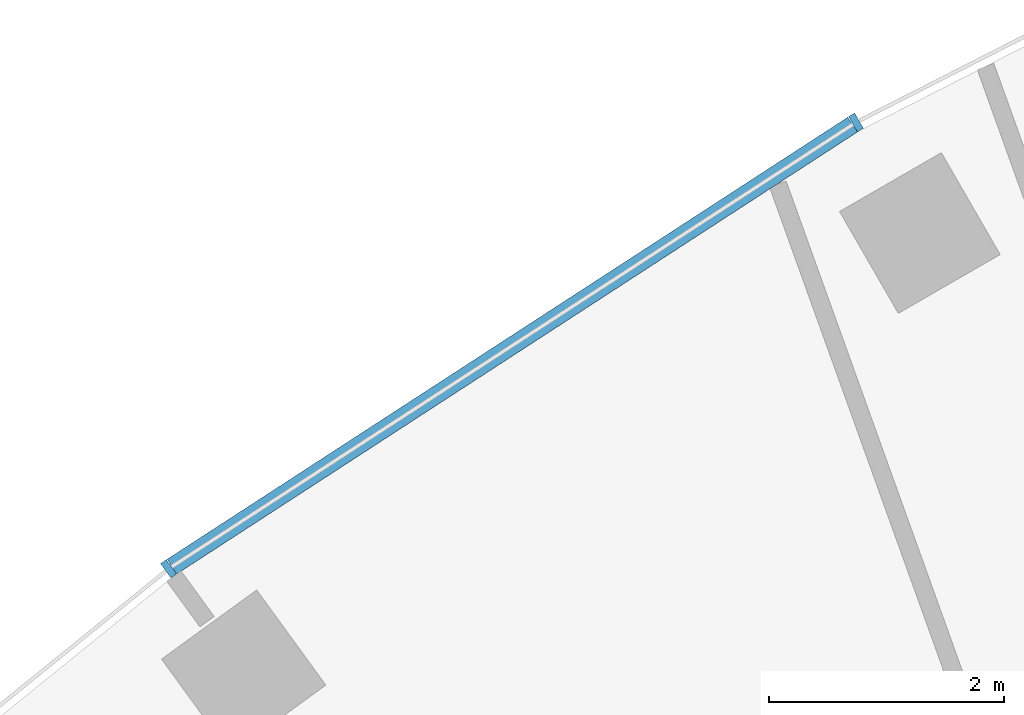
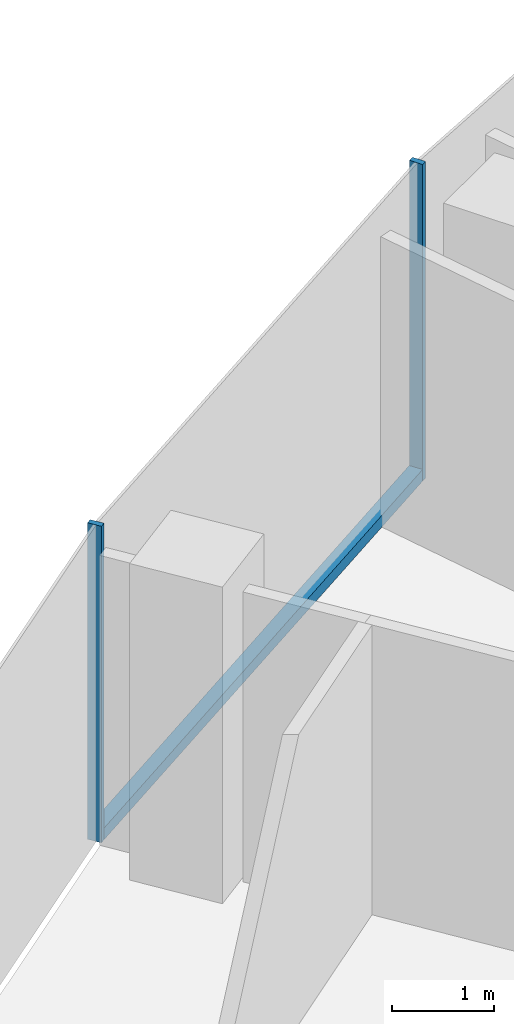
# One storey, part 4 of 20: 3 members, 1 element without a shape of its own.
"""IFC4 building model written with IfcOpenShell, lengths in metres."""

from ifc_helpers import new_model, si_unit, direction, frame, origin, origin_2d, place, context, subcontext, project, spatial, rectangle, extrude, material, layer, layer_set, material_profile, profile_set, type_object, element, aggregate, save


model = new_model("IFC4")

# Units and contexts
model_context = context("Model", 3, precision=1e-05, world=origin(), true_north=direction((0.0, 1.0)))
body_context = subcontext(model_context, "Body", "Model", "MODEL_VIEW")
ifc_project = project(units=[si_unit("LENGTHUNIT", "METRE"), si_unit("AREAUNIT", "SQUARE_METRE"), si_unit("VOLUMEUNIT", "CUBIC_METRE"), si_unit("PLANEANGLEUNIT", "RADIAN"), si_unit("MASSUNIT", "GRAM", prefix="KILO")], contexts=[model_context])

# Site, building, storey
site_placement = place(None, origin())
site = spatial("IfcSite", under=ifc_project, at=site_placement, CompositionType="ELEMENT")
building_placement = place(site_placement, origin())
building = spatial("IfcBuilding", under=site, at=building_placement, Name="Stone Belt Terrace Tower", CompositionType="ELEMENT")
storey_placement = place(building_placement, frame((0.0, 0.0, 182.0)))
storey = spatial("IfcBuildingStorey", under=building, at=storey_placement, Name="L44", CompositionType="ELEMENT", Elevation=182.0)

# Curtain wall, members
ifc_material = material(Name="Aluminium 6063-T6 anodised frame", Category="aluminium")
ifc_layer = layer(ifc_material, 0.14990234375)
ifc_layer_set = layer_set([ifc_layer], Name="CW-A unitised convex-face curtain wall")
curtain_wall_type = type_object("IfcCurtainWallType", Name="CW-A unitised convex-face curtain wall", PredefinedType="NOTDEFINED", material=ifc_layer_set)
curtain_wall_placement = place(storey_placement, origin())
curtain_wall = element("IfcCurtainWall", 1, at=curtain_wall_placement, inside=storey, type_object=curtain_wall_type, Name="CW-A convex face L44", PredefinedType="NOTDEFINED")
ifc_material_profile_1 = material_profile(ifc_material, rectangle(XDim=0.14990234375, YDim=0.06005859375, at=origin_2d()), Name="Aluminium 6063-T6 60x150")
ifc_profile_set_1 = profile_set([ifc_material_profile_1], Name="Aluminium 6063-T6 anodised frame")
member_type_1 = type_object("IfcMemberType", Name="CW-A mullion 60 x 150", PredefinedType="MULLION", material=ifc_profile_set_1)
member_1_placement = place(storey_placement, frame((-33.28759765625, 57.65576171875, 0.0), z_axis=(0.0, 0.0, 1.0), x_axis=(0.5, -0.866025403784, 0.0)))
member_1 = element("IfcMember", 2, at=member_1_placement, type_object=member_type_1, Name="CW-A mullion 13", PredefinedType="MULLION", context=body_context, shape_type="SweptSolid", body=[
    extrude(rectangle(XDim=0.14990234375, YDim=0.06005859375, at=origin_2d()), origin(), (0.0, 0.0, 1.0), 3.800048828125),
])
member_2_placement = place(storey_placement, frame((-39.1318359375, 53.8603515625, 0.0), z_axis=(0.0, 0.0, 1.0), x_axis=(0.587785252292, -0.809016994375, 0.0)))
member_2 = element("IfcMember", 3, at=member_2_placement, type_object=member_type_1, Name="CW-A mullion 14", PredefinedType="MULLION", context=body_context, shape_type="SweptSolid", body=[
    extrude(rectangle(XDim=0.14990234375, YDim=0.06005859375, at=origin_2d()), origin(), (0.0, 0.0, 1.0), 3.800048828125),
])
ifc_material_profile_2 = material_profile(ifc_material, rectangle(XDim=0.14990234375, YDim=0.139892578125, at=origin_2d()), Name="Aluminium 6063-T6 150x140")
ifc_profile_set_2 = profile_set([ifc_material_profile_2], Name="Aluminium 6063-T6 anodised frame")
member_type_2 = type_object("IfcMemberType", Name="CW-A transom 140 x 150", PredefinedType="USERDEFINED", material=ifc_profile_set_2)
member_3_placement = place(storey_placement, frame((-33.31591796875, 57.63720703125, 0.070068359375), z_axis=(-0.83868440714, -0.544617723931, 0.0), x_axis=(0.544617723931, -0.83868440714, 0.0)))
member_3 = element("IfcMember", 4, at=member_3_placement, type_object=member_type_2, Name="CW-A transom 13.1", ObjectType="TRANSOM", PredefinedType="USERDEFINED", context=body_context, shape_type="SweptSolid", body=[
    extrude(rectangle(XDim=0.14990234375, YDim=0.139892578125, at=origin_2d()), origin(), (0.0, 0.0, 1.0), 6.90087890625),
])
aggregate(curtain_wall, [member_1, member_2, member_3])

save(model, "model.ifc")
